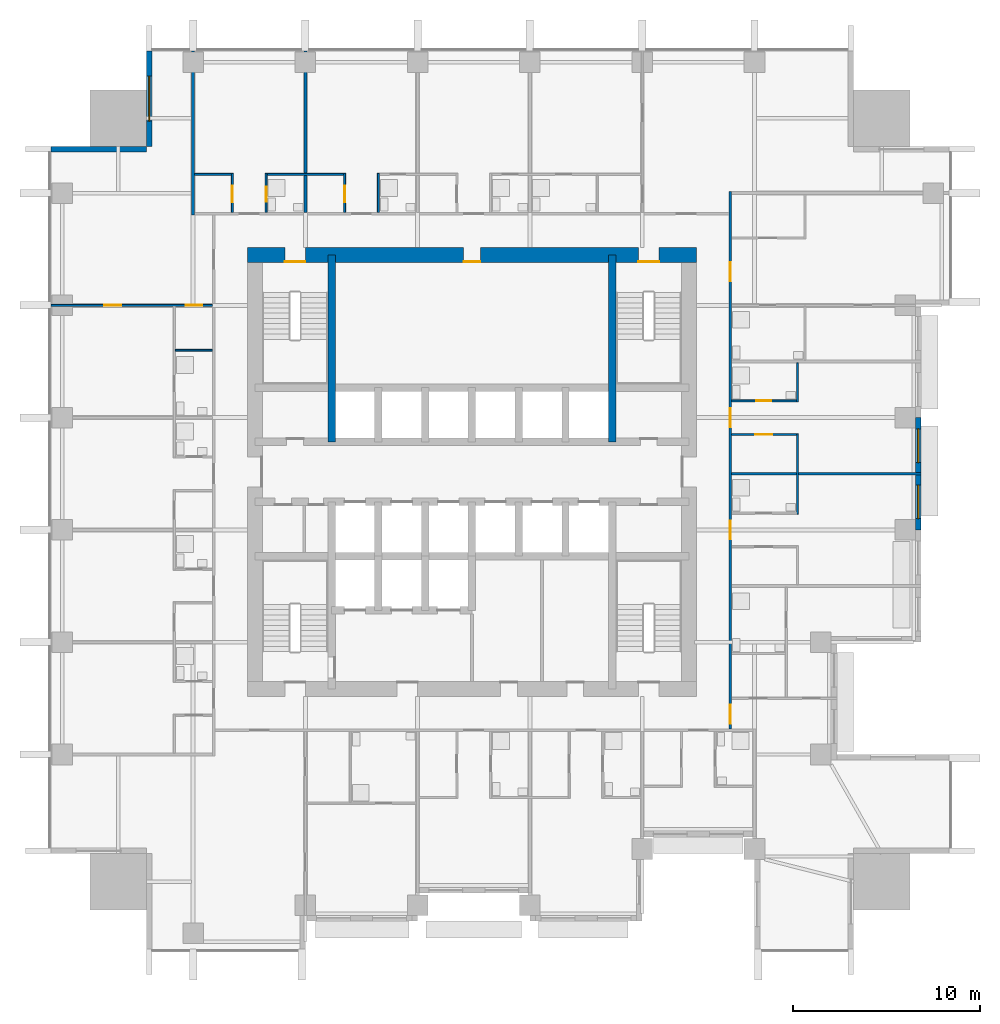
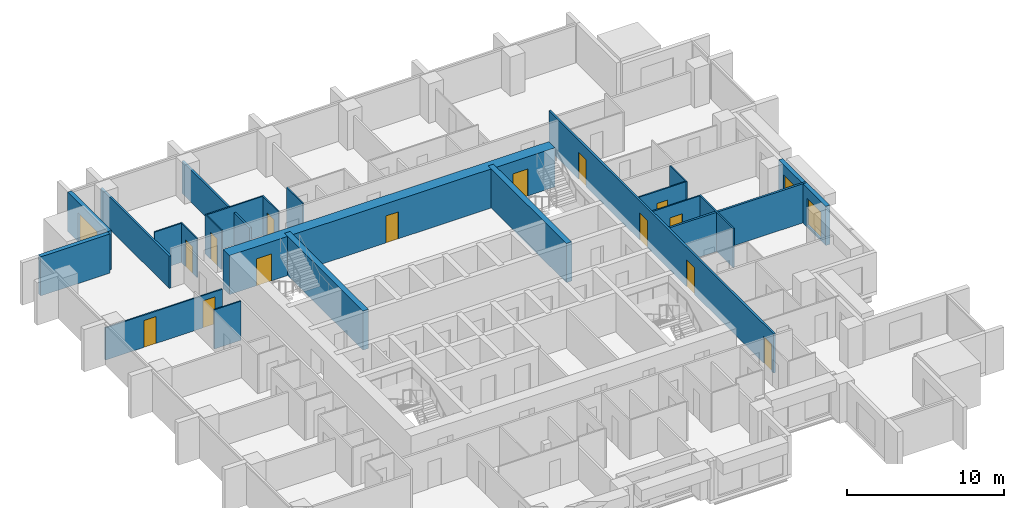
# One storey, part 7 of 11: 22 walls, 14 doors, 3 windows, 17 openings.
"""IFC4 building model written with IfcOpenShell, lengths in metres."""

from ifc_helpers import new_model, si_unit, direction, frame, frame_2d, origin, place, context, subcontext, project, spatial, rectangle, extrude, material, layer, layer_set, type_object, element, fill, save


model = new_model("IFC4")

# Units and contexts
model_context = context("Model", 3, precision=1e-05, world=origin(), true_north=direction((0.0, 1.0)))
body_context = subcontext(model_context, "Body", "Model", "MODEL_VIEW")
ifc_project = project(units=[si_unit("LENGTHUNIT", "METRE"), si_unit("AREAUNIT", "SQUARE_METRE"), si_unit("VOLUMEUNIT", "CUBIC_METRE"), si_unit("PLANEANGLEUNIT", "RADIAN"), si_unit("MASSUNIT", "GRAM", prefix="KILO")], contexts=[model_context])

# Site, building, storey
site_placement = place(None, origin())
site = spatial("IfcSite", under=ifc_project, at=site_placement, CompositionType="ELEMENT")
building_placement = place(site_placement, origin())
building = spatial("IfcBuilding", under=site, at=building_placement, Name="Amberfall Residences", CompositionType="ELEMENT")
storey_placement = place(building_placement, frame((0.0, 0.0, 95.199951171875)))
storey = spatial("IfcBuildingStorey", under=building, at=storey_placement, Name="L25", CompositionType="ELEMENT", Elevation=95.199951171875)

# Wall, opening, window
ifc_material_1 = material(Name="Pale stone cladding on insulated backing", Category="masonry")
ifc_layer_1 = layer(ifc_material_1, 0.300048828125)
ifc_layer_set_1 = layer_set([ifc_layer_1], Name="Bronze clad wall 300")
wall_type_1 = type_object("IfcWallType", Name="Bronze clad wall 300", PredefinedType="SOLIDWALL", material=ifc_layer_set_1)
wall_1_placement = place(storey_placement, frame((57.25, 68.0, 0.0), z_axis=(0.0, 0.0, 1.0), x_axis=(0.0, -1.0, 0.0)))
wall_1 = element("IfcWall", 1, at=wall_1_placement, inside=storey, type_object=wall_type_1, Name="External wall L25 NW", PredefinedType="SOLIDWALL", context=body_context, shape_type="SweptSolid", body=[
    extrude(rectangle(XDim=5.10009765625, YDim=0.300048828125, at=frame_2d((2.550048828125, 0.0))), origin(), (0.0, 0.0, 1.0), 3.050048828125),
])
opening_1_placement = place(wall_1_placement, frame((1.35009765625, 0.0, 0.14990234375)))
opening_1 = element("IfcOpeningElement", 2, at=opening_1_placement, cuts=wall_1, Name="Opening WN5", PredefinedType="OPENING", context=body_context, shape_type="SweptSolid", body=[
    extrude(rectangle(XDim=2.39990234375, YDim=2.10009765625, at=frame_2d((1.199951171875, 1.050048828125))), frame((0.0, 0.159912109375, 0.0), z_axis=(0.0, -1.0, 0.0), x_axis=(1.0, 0.0, 0.0)), (0.0, 0.0, 1.0), 0.320068359375),
])
ifc_material_2 = material(Name="Bronze aluminium framed glazing", Category="aluminium")
window_type_1 = type_object("IfcWindowType", Name="Glazed opening 2400 x 2100 bronze", PartitioningType="DOUBLE_PANEL_VERTICAL", PredefinedType="WINDOW", material=ifc_material_2)
window_1_placement = place(opening_1_placement, origin())
window_1 = element("IfcWindow", 3, at=window_1_placement, inside=storey, type_object=window_type_1, Name="Window L25 NW", OverallHeight=2.10009765625, OverallWidth=2.39990234375, PartitioningType="DOUBLE_PANEL_VERTICAL", PredefinedType="WINDOW", context=body_context, shape_type="SweptSolid", body=[
    extrude(rectangle(XDim=2.39990234375, YDim=2.10009765625, at=frame_2d((1.199951171875, 1.050048828125))), frame((0.0, 0.030029296875, 0.0), z_axis=(0.0, -1.0, 0.0), x_axis=(1.0, 0.0, 0.0)), (0.0, 0.0, 1.0), 0.06005859375),
])
fill(opening_1, window_1)

# Wall
wall_2_placement = place(storey_placement, frame((57.10009765625, 62.75, 0.0), z_axis=(0.0, 0.0, 1.0), x_axis=(-1.0, 0.0, 0.0)))
element("IfcWall", 4, at=wall_2_placement, inside=storey, type_object=wall_type_1, Name="External wall L25 NW", PredefinedType="SOLIDWALL", context=body_context, shape_type="SweptSolid", body=[
    extrude(rectangle(XDim=5.10009765625, YDim=0.300048828125, at=frame_2d((2.550048828125, 0.0))), origin(), (0.0, 0.0, 1.0), 3.050048828125),
])

# Wall, openings, windows
wall_3_placement = place(storey_placement, frame((98.35009765625, 42.39990234375, 0.0), z_axis=(0.0, 0.0, 1.0), x_axis=(0.0, 1.0, 0.0)))
wall_3 = element("IfcWall", 5, at=wall_3_placement, inside=storey, type_object=wall_type_1, Name="Stone wall L25 E", PredefinedType="SOLIDWALL", context=body_context, shape_type="SweptSolid", body=[
    extrude(rectangle(XDim=6.0, YDim=0.300048828125, at=frame_2d((3.0, 0.0))), origin(), (0.0, 0.0, 1.0), 3.050048828125),
])
opening_2_placement = place(wall_3_placement, frame((0.60009765625, 0.0, 0.14990234375)))
opening_2 = element("IfcOpeningElement", 6, at=opening_2_placement, cuts=wall_3, Name="Opening WN6", PredefinedType="OPENING", context=body_context, shape_type="SweptSolid", body=[
    extrude(rectangle(XDim=1.800048828125, YDim=2.10009765625, at=frame_2d((0.89990234375, 1.050048828125))), frame((0.0, 0.159912109375, 0.0), z_axis=(0.0, -1.0, 0.0), x_axis=(1.0, 0.0, 0.0)), (0.0, 0.0, 1.0), 0.320068359375),
])
opening_3_placement = place(wall_3_placement, frame((3.60009765625, 0.0, 0.14990234375)))
opening_3 = element("IfcOpeningElement", 7, at=opening_3_placement, cuts=wall_3, Name="Opening WN6", PredefinedType="OPENING", context=body_context, shape_type="SweptSolid", body=[
    extrude(rectangle(XDim=1.800048828125, YDim=2.10009765625, at=frame_2d((0.89990234375, 1.050048828125))), frame((0.0, 0.159912109375, 0.0), z_axis=(0.0, -1.0, 0.0), x_axis=(1.0, 0.0, 0.0)), (0.0, 0.0, 1.0), 0.320068359375),
])
window_type_2 = type_object("IfcWindowType", Name="Glazed opening 1800 x 2100 bronze", PartitioningType="DOUBLE_PANEL_VERTICAL", PredefinedType="WINDOW", material=ifc_material_2)
window_2_placement = place(opening_2_placement, origin())
window_2 = element("IfcWindow", 8, at=window_2_placement, inside=storey, type_object=window_type_2, Name="Window L25 E", OverallHeight=2.10009765625, OverallWidth=1.800048828125, PartitioningType="DOUBLE_PANEL_VERTICAL", PredefinedType="WINDOW", context=body_context, shape_type="SweptSolid", body=[
    extrude(rectangle(XDim=1.800048828125, YDim=2.10009765625, at=frame_2d((0.89990234375, 1.050048828125))), frame((0.0, 0.030029296875, 0.0), z_axis=(0.0, -1.0, 0.0), x_axis=(1.0, 0.0, 0.0)), (0.0, 0.0, 1.0), 0.06005859375),
])
fill(opening_2, window_2)
window_3_placement = place(opening_3_placement, origin())
window_3 = element("IfcWindow", 9, at=window_3_placement, inside=storey, type_object=window_type_2, Name="Window L25 E", OverallHeight=2.10009765625, OverallWidth=1.800048828125, PartitioningType="DOUBLE_PANEL_VERTICAL", PredefinedType="WINDOW", context=body_context, shape_type="SweptSolid", body=[
    extrude(rectangle(XDim=1.800048828125, YDim=2.10009765625, at=frame_2d((0.89990234375, 1.050048828125))), frame((0.0, 0.030029296875, 0.0), z_axis=(0.0, -1.0, 0.0), x_axis=(1.0, 0.0, 0.0)), (0.0, 0.0, 1.0), 0.06005859375),
])
fill(opening_3, window_3)

# Walls
ifc_material_3 = material(Name="Concrete C70", Category="concrete")
ifc_layer_2 = layer(ifc_material_3, 0.39990234375)
ifc_layer_set_2 = layer_set([ifc_layer_2], Name="Core wall 400 C70")
wall_type_2 = type_object("IfcWallType", Name="Core wall 400 C70", PredefinedType="SHEAR", material=ifc_layer_set_2)
for number, where, z_axis, x_axis, name in (
    (10, (67.0, 47.10009765625, 0.0), (0.0, 0.0, 1.0), (0.0, 1.0, 0.0), "Core wall RW4 L25 V45N"),
    (11, (82.0, 47.10009765625, 0.0), (0.0, 0.0, 1.0), (0.0, 1.0, 0.0), "Core wall RW4 L25 V195N"),
):
    element("IfcWall", number, at=place(storey_placement, frame(where, z_axis=z_axis, x_axis=x_axis)), inside=storey, type_object=wall_type_2, Name=name, PredefinedType="SHEAR", context=body_context, shape_type="SweptSolid", body=[
        extrude(rectangle(XDim=10.0, YDim=0.39990234375, at=frame_2d((5.0, 0.0))), origin(), (0.0, 0.0, 1.0), 3.050048828125),
    ])

# Wall, openings, doors
ifc_layer_3 = layer(ifc_material_3, 0.800048828125)
ifc_layer_set_3 = layer_set([ifc_layer_3], Name="Core wall 800 C70")
wall_type_3 = type_object("IfcWallType", Name="Core wall 800 C70", PredefinedType="SHEAR", material=ifc_layer_set_3)
wall_4_placement = place(storey_placement, frame((62.5, 57.10009765625, 0.0), z_axis=(0.0, 0.0, 1.0), x_axis=(1.0, 0.0, 0.0)))
wall_4 = element("IfcWall", 12, at=wall_4_placement, inside=storey, type_object=wall_type_3, Name="Core wall RW3 L25 ON", PredefinedType="SHEAR", context=body_context, shape_type="SweptSolid", body=[
    extrude(rectangle(XDim=24.0, YDim=0.800048828125, at=frame_2d((12.0, 0.0))), origin(), (0.0, 0.0, 1.0), 3.050048828125),
])
opening_4_placement = place(wall_4_placement, frame((20.89990234375, 0.0, 0.0)))
opening_4 = element("IfcOpeningElement", 13, at=opening_4_placement, cuts=wall_4, Name="Opening SD1", PredefinedType="OPENING", context=body_context, shape_type="SweptSolid", body=[
    extrude(rectangle(XDim=1.10009765625, YDim=2.10009765625, at=frame_2d((0.550048828125, 1.050048828125))), frame((0.0, 0.409912109375, 0.0), z_axis=(0.0, -1.0, 0.0), x_axis=(1.0, 0.0, 0.0)), (0.0, 0.0, 1.0), 0.820068359375),
])
opening_5_placement = place(wall_4_placement, frame((2.0, 0.0, 0.0)))
opening_5 = element("IfcOpeningElement", 14, at=opening_5_placement, cuts=wall_4, Name="Opening SD1", PredefinedType="OPENING", context=body_context, shape_type="SweptSolid", body=[
    extrude(rectangle(XDim=1.10009765625, YDim=2.10009765625, at=frame_2d((0.550048828125, 1.050048828125))), frame((0.0, 0.409912109375, 0.0), z_axis=(0.0, -1.0, 0.0), x_axis=(1.0, 0.0, 0.0)), (0.0, 0.0, 1.0), 0.820068359375),
])
opening_6_placement = place(wall_4_placement, frame((11.550048828125, 0.0, 0.0)))
opening_6 = element("IfcOpeningElement", 15, at=opening_6_placement, cuts=wall_4, Name="Opening RD1", PredefinedType="OPENING", context=body_context, shape_type="SweptSolid", body=[
    extrude(rectangle(XDim=0.89990234375, YDim=2.10009765625, at=frame_2d((0.449951171875, 1.050048828125))), frame((0.0, 0.409912109375, 0.0), z_axis=(0.0, -1.0, 0.0), x_axis=(1.0, 0.0, 0.0)), (0.0, 0.0, 1.0), 0.820068359375),
])
ifc_material_4 = material(Name="Steel fire door set", Category="steel")
door_type_1 = type_object("IfcDoorType", Name="Service room door 900 x 2100", OperationType="SINGLE_SWING_LEFT", PredefinedType="DOOR", material=ifc_material_4)
door_1_placement = place(opening_6_placement, origin())
door_1 = element("IfcDoor", 16, at=door_1_placement, inside=storey, type_object=door_type_1, Name="RD1 L25", OperationType="SINGLE_SWING_RIGHT", OverallHeight=2.10009765625, OverallWidth=0.89990234375, PredefinedType="DOOR", context=body_context, shape_type="SweptSolid", body=[
    extrude(rectangle(XDim=0.89990234375, YDim=2.10009765625, at=frame_2d((0.449951171875, 1.050048828125))), frame((0.0, -0.33740234375, 0.0), z_axis=(0.0, -1.0, 0.0), x_axis=(1.0, 0.0, 0.0)), (0.0, 0.0, 1.0), 0.050048828125),
])
fill(opening_6, door_1)
door_type_2 = type_object("IfcDoorType", Name="Stair door 1100 x 2100", OperationType="SINGLE_SWING_LEFT", PredefinedType="DOOR", material=ifc_material_4)
door_2_placement = place(opening_4_placement, origin())
door_2 = element("IfcDoor", 17, at=door_2_placement, inside=storey, type_object=door_type_2, Name="SD1 L25", OperationType="SINGLE_SWING_RIGHT", OverallHeight=2.10009765625, OverallWidth=1.10009765625, PredefinedType="DOOR", context=body_context, shape_type="SweptSolid", body=[
    extrude(rectangle(XDim=1.10009765625, YDim=2.10009765625, at=frame_2d((0.550048828125, 1.050048828125))), frame((0.0, -0.33740234375, 0.0), z_axis=(0.0, -1.0, 0.0), x_axis=(1.0, 0.0, 0.0)), (0.0, 0.0, 1.0), 0.050048828125),
])
fill(opening_4, door_2)
door_3_placement = place(opening_5_placement, origin())
door_3 = element("IfcDoor", 18, at=door_3_placement, inside=storey, type_object=door_type_2, Name="SD1 L25", OperationType="SINGLE_SWING_LEFT", OverallHeight=2.10009765625, OverallWidth=1.10009765625, PredefinedType="DOOR", context=body_context, shape_type="SweptSolid", body=[
    extrude(rectangle(XDim=1.10009765625, YDim=2.10009765625, at=frame_2d((0.550048828125, 1.050048828125))), frame((0.0, -0.33740234375, 0.0), z_axis=(0.0, -1.0, 0.0), x_axis=(1.0, 0.0, 0.0)), (0.0, 0.0, 1.0), 0.050048828125),
])
fill(opening_5, door_3)

# Wall, opening, door
ifc_material_5 = material(Name="Gypsum board on metal stud")
ifc_layer_4 = layer(ifc_material_5, 0.10009765625)
ifc_layer_set_4 = layer_set([ifc_layer_4], Name="Flat partition 100")
wall_type_4 = type_object("IfcWallType", Name="Flat partition 100", PredefinedType="PARTITIONING", material=ifc_layer_set_4)
wall_5_placement = place(storey_placement, frame((61.699951171875, 59.375, 0.0), z_axis=(0.0, 0.0, 1.0), x_axis=(0.0, 1.0, 0.0)))
wall_5 = element("IfcWall", 19, at=wall_5_placement, inside=storey, type_object=wall_type_4, Name="Partition 005", PredefinedType="PARTITIONING", context=body_context, shape_type="SweptSolid", body=[
    extrude(rectangle(XDim=2.074951171875, YDim=0.10009765625, at=frame_2d((1.03759765625, 0.0))), origin(), (0.0, 0.0, 1.0), 3.050048828125),
])
opening_7_placement = place(wall_5_placement, frame((0.52490234375, 0.0, 0.0)))
opening_7 = element("IfcOpeningElement", 20, at=opening_7_placement, cuts=wall_5, Name="Opening D41", PredefinedType="OPENING", context=body_context, shape_type="SweptSolid", body=[
    extrude(rectangle(XDim=0.89990234375, YDim=2.10009765625, at=frame_2d((0.449951171875, 1.050048828125))), frame((0.0, 0.06005859375, 0.0), z_axis=(0.0, -1.0, 0.0), x_axis=(1.0, 0.0, 0.0)), (0.0, 0.0, 1.0), 0.1201171875),
])
ifc_material_6 = material(Name="Timber", Category="wood")
door_type_3 = type_object("IfcDoorType", Name="Internal door 900 x 2100", OperationType="SINGLE_SWING_LEFT", PredefinedType="DOOR", material=ifc_material_6)
door_4_placement = place(opening_7_placement, origin())
door_4 = element("IfcDoor", 21, at=door_4_placement, inside=storey, type_object=door_type_3, Name="Door 2509 kitchen", OperationType="SINGLE_SWING_LEFT", OverallHeight=2.10009765625, OverallWidth=0.89990234375, PredefinedType="DOOR", context=body_context, shape_type="SweptSolid", body=[
    extrude(rectangle(XDim=0.89990234375, YDim=2.10009765625, at=frame_2d((0.449951171875, 1.050048828125))), frame((0.0, 0.02490234375, 0.0), z_axis=(0.0, -1.0, 0.0), x_axis=(1.0, 0.0, 0.0)), (0.0, 0.0, 1.0), 0.050048828125),
])
fill(opening_7, door_4)

wall_6_placement = place(storey_placement, frame((63.5, 61.449951171875, 0.0), z_axis=(0.0, 0.0, 1.0), x_axis=(0.0, -1.0, 0.0)))
wall_6 = element("IfcWall", 22, at=wall_6_placement, inside=storey, type_object=wall_type_4, Name="Partition 006", PredefinedType="PARTITIONING", context=body_context, shape_type="SweptSolid", body=[
    extrude(rectangle(XDim=2.074951171875, YDim=0.10009765625, at=frame_2d((1.03759765625, 0.0))), origin(), (0.0, 0.0, 1.0), 3.050048828125),
])
opening_8_placement = place(wall_6_placement, frame((0.699951171875, 0.0, 0.0)))
opening_8 = element("IfcOpeningElement", 23, at=opening_8_placement, cuts=wall_6, Name="Opening D42", PredefinedType="OPENING", context=body_context, shape_type="SweptSolid", body=[
    extrude(rectangle(XDim=0.800048828125, YDim=2.10009765625, at=frame_2d((0.39990234375, 1.050048828125))), frame((0.0, 0.06005859375, 0.0), z_axis=(0.0, -1.0, 0.0), x_axis=(1.0, 0.0, 0.0)), (0.0, 0.0, 1.0), 0.1201171875),
])
door_type_4 = type_object("IfcDoorType", Name="Bathroom door 800 x 2100", OperationType="SINGLE_SWING_LEFT", PredefinedType="DOOR", material=ifc_material_6)
door_5_placement = place(opening_8_placement, origin())
door_5 = element("IfcDoor", 24, at=door_5_placement, inside=storey, type_object=door_type_4, Name="Door 2509 bath1", OperationType="SINGLE_SWING_LEFT", OverallHeight=2.10009765625, OverallWidth=0.800048828125, PredefinedType="DOOR", context=body_context, shape_type="SweptSolid", body=[
    extrude(rectangle(XDim=0.800048828125, YDim=2.10009765625, at=frame_2d((0.39990234375, 1.050048828125))), frame((0.0, 0.02490234375, 0.0), z_axis=(0.0, -1.0, 0.0), x_axis=(1.0, 0.0, 0.0)), (0.0, 0.0, 1.0), 0.050048828125),
])
fill(opening_8, door_5)

wall_7_placement = place(storey_placement, frame((67.699951171875, 59.375, 0.0), z_axis=(0.0, 0.0, 1.0), x_axis=(0.0, 1.0, 0.0)))
wall_7 = element("IfcWall", 25, at=wall_7_placement, inside=storey, type_object=wall_type_4, Name="Partition 008", PredefinedType="PARTITIONING", context=body_context, shape_type="SweptSolid", body=[
    extrude(rectangle(XDim=2.074951171875, YDim=0.10009765625, at=frame_2d((1.03759765625, 0.0))), origin(), (0.0, 0.0, 1.0), 3.050048828125),
])
opening_9_placement = place(wall_7_placement, frame((0.52490234375, 0.0, 0.0)))
opening_9 = element("IfcOpeningElement", 26, at=opening_9_placement, cuts=wall_7, Name="Opening D41", PredefinedType="OPENING", context=body_context, shape_type="SweptSolid", body=[
    extrude(rectangle(XDim=0.89990234375, YDim=2.10009765625, at=frame_2d((0.449951171875, 1.050048828125))), frame((0.0, 0.06005859375, 0.0), z_axis=(0.0, -1.0, 0.0), x_axis=(1.0, 0.0, 0.0)), (0.0, 0.0, 1.0), 0.1201171875),
])
door_6_placement = place(opening_9_placement, origin())
door_6 = element("IfcDoor", 27, at=door_6_placement, inside=storey, type_object=door_type_3, Name="Door 2510 kitchen", OperationType="SINGLE_SWING_LEFT", OverallHeight=2.10009765625, OverallWidth=0.89990234375, PredefinedType="DOOR", context=body_context, shape_type="SweptSolid", body=[
    extrude(rectangle(XDim=0.89990234375, YDim=2.10009765625, at=frame_2d((0.449951171875, 1.050048828125))), frame((0.0, 0.02490234375, 0.0), z_axis=(0.0, -1.0, 0.0), x_axis=(1.0, 0.0, 0.0)), (0.0, 0.0, 1.0), 0.050048828125),
])
fill(opening_9, door_6)

# Walls
wall_8_placement = place(storey_placement, frame((69.5, 59.375, 0.0), z_axis=(0.0, 0.0, 1.0), x_axis=(0.0, 1.0, 0.0)))
element("IfcWall", 28, at=wall_8_placement, inside=storey, type_object=wall_type_4, Name="Partition 010", PredefinedType="PARTITIONING", context=body_context, shape_type="SweptSolid", body=[
    extrude(rectangle(XDim=2.074951171875, YDim=0.10009765625, at=frame_2d((1.03759765625, 0.0))), origin(), (0.0, 0.0, 1.0), 3.050048828125),
])
wall_9_placement = place(storey_placement, frame((91.89990234375, 43.25, 0.0), z_axis=(0.0, 0.0, 1.0), x_axis=(0.0, 1.0, 0.0)))
element("IfcWall", 29, at=wall_9_placement, inside=storey, type_object=wall_type_4, Name="Partition 023", PredefinedType="PARTITIONING", context=body_context, shape_type="SweptSolid", body=[
    extrude(rectangle(XDim=4.300048828125, YDim=0.10009765625, at=frame_2d((2.14990234375, 0.0))), origin(), (0.0, 0.0, 1.0), 3.050048828125),
])
wall_10_placement = place(storey_placement, frame((91.89990234375, 49.25, 0.0), z_axis=(0.0, 0.0, 1.0), x_axis=(0.0, 1.0, 0.0)))
element("IfcWall", 30, at=wall_10_placement, inside=storey, type_object=wall_type_4, Name="Partition 024", PredefinedType="PARTITIONING", context=body_context, shape_type="SweptSolid", body=[
    extrude(rectangle(XDim=2.074951171875, YDim=0.10009765625, at=frame_2d((1.03759765625, 0.0))), origin(), (0.0, 0.0, 1.0), 3.050048828125),
])
wall_11_placement = place(storey_placement, frame((59.675048828125, 61.39990234375, 0.0), z_axis=(0.0, 0.0, 1.0), x_axis=(1.0, 0.0, 0.0)))
element("IfcWall", 31, at=wall_11_placement, inside=storey, type_object=wall_type_4, Name="Partition 027", PredefinedType="PARTITIONING", context=body_context, shape_type="SweptSolid", body=[
    extrude(rectangle(XDim=1.974853515625, YDim=0.10009765625, at=frame_2d((0.9873046875, 0.0))), origin(), (0.0, 0.0, 1.0), 3.050048828125),
])
wall_12_placement = place(storey_placement, frame((63.550048828125, 61.39990234375, 0.0), z_axis=(0.0, 0.0, 1.0), x_axis=(1.0, 0.0, 0.0)))
element("IfcWall", 32, at=wall_12_placement, inside=storey, type_object=wall_type_4, Name="Partition 028", PredefinedType="PARTITIONING", context=body_context, shape_type="SweptSolid", body=[
    extrude(rectangle(XDim=4.099853515625, YDim=0.10009765625, at=frame_2d((2.0498046875, 0.0))), origin(), (0.0, 0.0, 1.0), 3.050048828125),
])

# Wall, openings, doors
wall_13_placement = place(storey_placement, frame((60.625, 54.39990234375, 0.0), z_axis=(0.0, 0.0, 1.0), x_axis=(-1.0, 0.0, 0.0)))
wall_13 = element("IfcWall", 33, at=wall_13_placement, inside=storey, type_object=wall_type_4, Name="Partition 032", PredefinedType="PARTITIONING", context=body_context, shape_type="SweptSolid", body=[
    extrude(rectangle(XDim=8.625, YDim=0.10009765625, at=frame_2d((4.3125, 0.0))), origin(), (0.0, 0.0, 1.0), 2.51611328125),
])
opening_10_placement = place(wall_13_placement, frame((0.52490234375, 0.0, 0.0)))
opening_10 = element("IfcOpeningElement", 34, at=opening_10_placement, cuts=wall_13, Name="Opening D41", PredefinedType="OPENING", context=body_context, shape_type="SweptSolid", body=[
    extrude(rectangle(XDim=0.89990234375, YDim=2.10009765625, at=frame_2d((0.449951171875, 1.050048828125))), frame((0.0, 0.06005859375, 0.0), z_axis=(0.0, -1.0, 0.0), x_axis=(1.0, 0.0, 0.0)), (0.0, 0.0, 1.0), 0.1201171875),
])
opening_11_placement = place(wall_13_placement, frame((4.875, 0.0, 0.0)))
opening_11 = element("IfcOpeningElement", 35, at=opening_11_placement, cuts=wall_13, Name="Opening D41", PredefinedType="OPENING", context=body_context, shape_type="SweptSolid", body=[
    extrude(rectangle(XDim=0.89990234375, YDim=2.10009765625, at=frame_2d((0.449951171875, 1.050048828125))), frame((0.0, 0.06005859375, 0.0), z_axis=(0.0, -1.0, 0.0), x_axis=(1.0, 0.0, 0.0)), (0.0, 0.0, 1.0), 0.1201171875),
])
door_7_placement = place(opening_10_placement, origin())
door_7 = element("IfcDoor", 36, at=door_7_placement, inside=storey, type_object=door_type_3, Name="Door 2516 kitchen", OperationType="SINGLE_SWING_LEFT", OverallHeight=2.10009765625, OverallWidth=0.89990234375, PredefinedType="DOOR", context=body_context, shape_type="SweptSolid", body=[
    extrude(rectangle(XDim=0.89990234375, YDim=2.10009765625, at=frame_2d((0.449951171875, 1.050048828125))), frame((0.0, 0.02490234375, 0.0), z_axis=(0.0, -1.0, 0.0), x_axis=(1.0, 0.0, 0.0)), (0.0, 0.0, 1.0), 0.050048828125),
])
fill(opening_10, door_7)
door_8_placement = place(opening_11_placement, origin())
door_8 = element("IfcDoor", 37, at=door_8_placement, inside=storey, type_object=door_type_3, Name="Door 2516 bedroom1", OperationType="SINGLE_SWING_LEFT", OverallHeight=2.10009765625, OverallWidth=0.89990234375, PredefinedType="DOOR", context=body_context, shape_type="SweptSolid", body=[
    extrude(rectangle(XDim=0.89990234375, YDim=2.10009765625, at=frame_2d((0.449951171875, 1.050048828125))), frame((0.0, 0.02490234375, 0.0), z_axis=(0.0, -1.0, 0.0), x_axis=(1.0, 0.0, 0.0)), (0.0, 0.0, 1.0), 0.050048828125),
])
fill(opening_11, door_8)

# Wall
wall_14_placement = place(storey_placement, frame((58.64990234375, 52.0, 0.0), z_axis=(0.0, 0.0, 1.0), x_axis=(1.0, 0.0, 0.0)))
element("IfcWall", 38, at=wall_14_placement, inside=storey, type_object=wall_type_4, Name="Partition 034", PredefinedType="PARTITIONING", context=body_context, shape_type="SweptSolid", body=[
    extrude(rectangle(XDim=1.97509765625, YDim=0.10009765625, at=frame_2d((0.987548828125, 0.0))), origin(), (0.0, 0.0, 1.0), 3.050048828125),
])

# Wall, opening, door
wall_15_placement = place(storey_placement, frame((88.375, 49.300048828125, 0.0), z_axis=(0.0, 0.0, 1.0), x_axis=(1.0, 0.0, 0.0)))
wall_15 = element("IfcWall", 39, at=wall_15_placement, inside=storey, type_object=wall_type_4, Name="Partition 035", PredefinedType="PARTITIONING", context=body_context, shape_type="SweptSolid", body=[
    extrude(rectangle(XDim=3.47509765625, YDim=0.10009765625, at=frame_2d((1.737548828125, 0.0))), origin(), (0.0, 0.0, 1.0), 3.050048828125),
])
opening_12_placement = place(wall_15_placement, frame((1.324951171875, 0.0, 0.0)))
opening_12 = element("IfcOpeningElement", 40, at=opening_12_placement, cuts=wall_15, Name="Opening D42", PredefinedType="OPENING", context=body_context, shape_type="SweptSolid", body=[
    extrude(rectangle(XDim=0.800048828125, YDim=2.10009765625, at=frame_2d((0.39990234375, 1.050048828125))), frame((0.0, 0.06005859375, 0.0), z_axis=(0.0, -1.0, 0.0), x_axis=(1.0, 0.0, 0.0)), (0.0, 0.0, 1.0), 0.1201171875),
])
door_9_placement = place(opening_12_placement, origin())
door_9 = element("IfcDoor", 41, at=door_9_placement, inside=storey, type_object=door_type_4, Name="Door 2507 bath1", OperationType="SINGLE_SWING_LEFT", OverallHeight=2.10009765625, OverallWidth=0.800048828125, PredefinedType="DOOR", context=body_context, shape_type="SweptSolid", body=[
    extrude(rectangle(XDim=0.800048828125, YDim=2.10009765625, at=frame_2d((0.39990234375, 1.050048828125))), frame((0.0, 0.02490234375, 0.0), z_axis=(0.0, -1.0, 0.0), x_axis=(1.0, 0.0, 0.0)), (0.0, 0.0, 1.0), 0.050048828125),
])
fill(opening_12, door_9)

wall_16_placement = place(storey_placement, frame((91.85009765625, 47.5, 0.0), z_axis=(0.0, 0.0, 1.0), x_axis=(-1.0, 0.0, 0.0)))
wall_16 = element("IfcWall", 42, at=wall_16_placement, inside=storey, type_object=wall_type_4, Name="Partition 036", PredefinedType="PARTITIONING", context=body_context, shape_type="SweptSolid", body=[
    extrude(rectangle(XDim=3.47509765625, YDim=0.10009765625, at=frame_2d((1.737548828125, 0.0))), origin(), (0.0, 0.0, 1.0), 3.050048828125),
])
opening_13_placement = place(wall_16_placement, frame((1.300048828125, 0.0, 0.0)))
opening_13 = element("IfcOpeningElement", 43, at=opening_13_placement, cuts=wall_16, Name="Opening D41", PredefinedType="OPENING", context=body_context, shape_type="SweptSolid", body=[
    extrude(rectangle(XDim=0.89990234375, YDim=2.10009765625, at=frame_2d((0.449951171875, 1.050048828125))), frame((0.0, 0.06005859375, 0.0), z_axis=(0.0, -1.0, 0.0), x_axis=(1.0, 0.0, 0.0)), (0.0, 0.0, 1.0), 0.1201171875),
])
door_10_placement = place(opening_13_placement, origin())
door_10 = element("IfcDoor", 44, at=door_10_placement, inside=storey, type_object=door_type_3, Name="Door 2507 kitchen", OperationType="SINGLE_SWING_LEFT", OverallHeight=2.10009765625, OverallWidth=0.89990234375, PredefinedType="DOOR", context=body_context, shape_type="SweptSolid", body=[
    extrude(rectangle(XDim=0.89990234375, YDim=2.10009765625, at=frame_2d((0.449951171875, 1.050048828125))), frame((0.0, 0.02490234375, 0.0), z_axis=(0.0, -1.0, 0.0), x_axis=(1.0, 0.0, 0.0)), (0.0, 0.0, 1.0), 0.050048828125),
])
fill(opening_13, door_10)

# Walls
ifc_material_7 = material(Name="Blockwork, plastered", Category="masonry")
ifc_layer_5 = layer(ifc_material_7, 0.14990234375)
ifc_layer_set_5 = layer_set([ifc_layer_5], Name="Flat separating wall 150")
wall_type_5 = type_object("IfcWallType", Name="Flat separating wall 150", PredefinedType="PARTITIONING", material=ifc_layer_set_5)
wall_17_placement = place(storey_placement, frame((59.60009765625, 59.22509765625, 0.0), z_axis=(0.0, 0.0, 1.0), x_axis=(0.0, 1.0, 0.0)))
element("IfcWall", 45, at=wall_17_placement, inside=storey, type_object=wall_type_5, Name="Separating wall 053", PredefinedType="PARTITIONING", context=body_context, shape_type="SweptSolid", body=[
    extrude(rectangle(XDim=8.77490234375, YDim=0.14990234375, at=frame_2d((4.387451171875, 0.0))), origin(), (0.0, 0.0, 1.0), 2.510009765625),
])
wall_18_placement = place(storey_placement, frame((65.60009765625, 59.375, 0.0), z_axis=(0.0, 0.0, 1.0), x_axis=(0.0, 1.0, 0.0)))
element("IfcWall", 46, at=wall_18_placement, inside=storey, type_object=wall_type_5, Name="Separating wall 055", PredefinedType="PARTITIONING", context=body_context, shape_type="SweptSolid", body=[
    extrude(rectangle(XDim=8.625, YDim=0.14990234375, at=frame_2d((4.3125, 0.0))), origin(), (0.0, 0.0, 1.0), 2.51611328125),
])

# Wall, openings, doors
wall_19_placement = place(storey_placement, frame((88.300048828125, 60.47509765625, 0.0), z_axis=(0.0, 0.0, 1.0), x_axis=(0.0, -1.0, 0.0)))
wall_19 = element("IfcWall", 47, at=wall_19_placement, inside=storey, type_object=wall_type_5, Name="Separating wall 061", PredefinedType="PARTITIONING", context=body_context, shape_type="SweptSolid", body=[
    extrude(rectangle(XDim=28.7001953125, YDim=0.14990234375, at=frame_2d((14.35009765625, 0.0))), origin(), (0.0, 0.0, 1.0), 3.050048828125),
])
opening_14_placement = place(wall_19_placement, frame((27.425048828125, 0.0, 0.0)))
opening_14 = element("IfcOpeningElement", 48, at=opening_14_placement, cuts=wall_19, Name="Opening D40", PredefinedType="OPENING", context=body_context, shape_type="SweptSolid", body=[
    extrude(rectangle(XDim=1.0, YDim=2.10009765625, at=frame_2d((0.5, 1.050048828125))), frame((0.0, 0.0849609375, 0.0), z_axis=(0.0, -1.0, 0.0), x_axis=(1.0, 0.0, 0.0)), (0.0, 0.0, 1.0), 0.169921875),
])
opening_15_placement = place(wall_19_placement, frame((17.574951171875, 0.0, 0.0)))
opening_15 = element("IfcOpeningElement", 49, at=opening_15_placement, cuts=wall_19, Name="Opening D40", PredefinedType="OPENING", context=body_context, shape_type="SweptSolid", body=[
    extrude(rectangle(XDim=1.0, YDim=2.10009765625, at=frame_2d((0.5, 1.050048828125))), frame((0.0, 0.0849609375, 0.0), z_axis=(0.0, -1.0, 0.0), x_axis=(1.0, 0.0, 0.0)), (0.0, 0.0, 1.0), 0.169921875),
])
opening_16_placement = place(wall_19_placement, frame((11.574951171875, 0.0, 0.0)))
opening_16 = element("IfcOpeningElement", 50, at=opening_16_placement, cuts=wall_19, Name="Opening D40", PredefinedType="OPENING", context=body_context, shape_type="SweptSolid", body=[
    extrude(rectangle(XDim=1.0, YDim=2.10009765625, at=frame_2d((0.5, 1.050048828125))), frame((0.0, 0.0849609375, 0.0), z_axis=(0.0, -1.0, 0.0), x_axis=(1.0, 0.0, 0.0)), (0.0, 0.0, 1.0), 0.169921875),
])
opening_17_placement = place(wall_19_placement, frame((3.77490234375, 0.0, 0.0)))
opening_17 = element("IfcOpeningElement", 51, at=opening_17_placement, cuts=wall_19, Name="Opening D40", PredefinedType="OPENING", context=body_context, shape_type="SweptSolid", body=[
    extrude(rectangle(XDim=1.0, YDim=2.10009765625, at=frame_2d((0.5, 1.050048828125))), frame((0.0, 0.0849609375, 0.0), z_axis=(0.0, -1.0, 0.0), x_axis=(1.0, 0.0, 0.0)), (0.0, 0.0, 1.0), 0.169921875),
])
ifc_material_8 = material(Name="Timber, fire-rated", Category="wood")
door_type_5 = type_object("IfcDoorType", Name="Flat entrance door FD60 1000 x 2100", OperationType="SINGLE_SWING_LEFT", PredefinedType="DOOR", material=ifc_material_8)
door_11_placement = place(opening_14_placement, origin())
door_11 = element("IfcDoor", 52, at=door_11_placement, inside=storey, type_object=door_type_5, Name="Door 2505 entrance", OperationType="SINGLE_SWING_LEFT", OverallHeight=2.10009765625, OverallWidth=1.0, PredefinedType="DOOR", context=body_context, shape_type="SweptSolid", body=[
    extrude(rectangle(XDim=1.0, YDim=2.10009765625, at=frame_2d((0.5, 1.050048828125))), frame((0.0, 0.02490234375, 0.0), z_axis=(0.0, -1.0, 0.0), x_axis=(1.0, 0.0, 0.0)), (0.0, 0.0, 1.0), 0.050048828125),
])
fill(opening_14, door_11)
door_12_placement = place(opening_15_placement, origin())
door_12 = element("IfcDoor", 53, at=door_12_placement, inside=storey, type_object=door_type_5, Name="Door 2506 entrance", OperationType="SINGLE_SWING_LEFT", OverallHeight=2.10009765625, OverallWidth=1.0, PredefinedType="DOOR", context=body_context, shape_type="SweptSolid", body=[
    extrude(rectangle(XDim=1.0, YDim=2.10009765625, at=frame_2d((0.5, 1.050048828125))), frame((0.0, 0.02490234375, 0.0), z_axis=(0.0, -1.0, 0.0), x_axis=(1.0, 0.0, 0.0)), (0.0, 0.0, 1.0), 0.050048828125),
])
fill(opening_15, door_12)
door_13_placement = place(opening_16_placement, origin())
door_13 = element("IfcDoor", 54, at=door_13_placement, inside=storey, type_object=door_type_5, Name="Door 2507 entrance", OperationType="SINGLE_SWING_LEFT", OverallHeight=2.10009765625, OverallWidth=1.0, PredefinedType="DOOR", context=body_context, shape_type="SweptSolid", body=[
    extrude(rectangle(XDim=1.0, YDim=2.10009765625, at=frame_2d((0.5, 1.050048828125))), frame((0.0, 0.02490234375, 0.0), z_axis=(0.0, -1.0, 0.0), x_axis=(1.0, 0.0, 0.0)), (0.0, 0.0, 1.0), 0.050048828125),
])
fill(opening_16, door_13)
door_14_placement = place(opening_17_placement, origin())
door_14 = element("IfcDoor", 55, at=door_14_placement, inside=storey, type_object=door_type_5, Name="Door 2508 entrance", OperationType="SINGLE_SWING_LEFT", OverallHeight=2.10009765625, OverallWidth=1.0, PredefinedType="DOOR", context=body_context, shape_type="SweptSolid", body=[
    extrude(rectangle(XDim=1.0, YDim=2.10009765625, at=frame_2d((0.5, 1.050048828125))), frame((0.0, 0.02490234375, 0.0), z_axis=(0.0, -1.0, 0.0), x_axis=(1.0, 0.0, 0.0)), (0.0, 0.0, 1.0), 0.050048828125),
])
fill(opening_17, door_14)

# Wall
wall_20_placement = place(storey_placement, frame((88.375, 45.39990234375, 0.0), z_axis=(0.0, 0.0, 1.0), x_axis=(1.0, 0.0, 0.0)))
element("IfcWall", 56, at=wall_20_placement, inside=storey, type_object=wall_type_5, Name="Separating wall 067", PredefinedType="PARTITIONING", context=body_context, shape_type="SweptSolid", body=[
    extrude(rectangle(XDim=10.125, YDim=0.14990234375, at=frame_2d((5.0625, 0.0))), origin(), (0.0, 0.0, 1.0), 3.050048828125),
])

save(model, "model.ifc")
